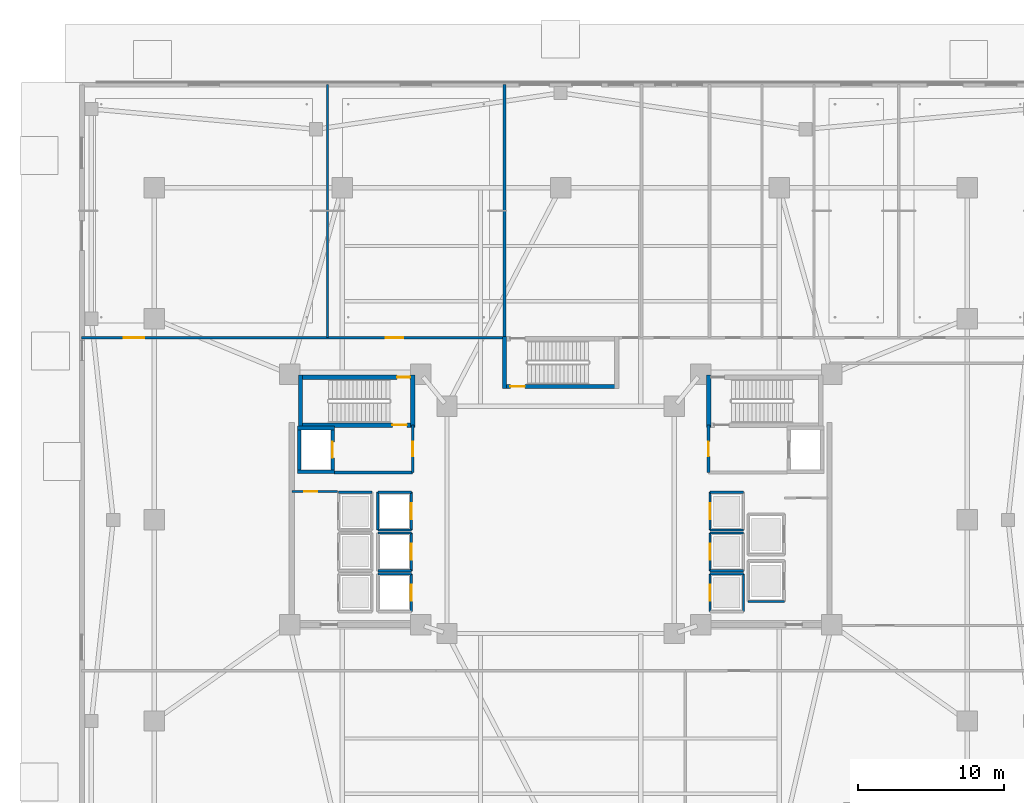
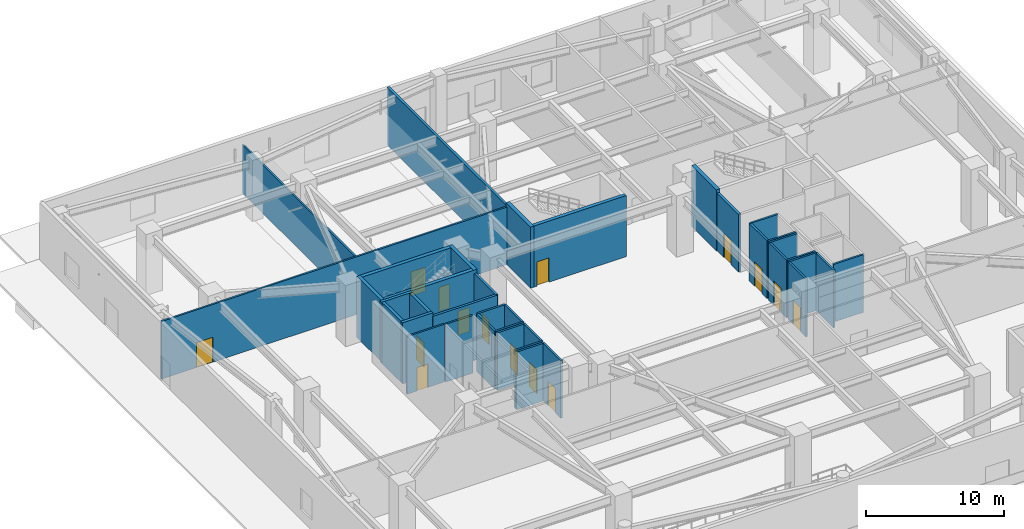
# One storey, part 4 of 18: 38 walls, 15 doors, 15 openings.
"""IFC4 building model written with IfcOpenShell, lengths in metres."""

import ifcopenshell
import ifcopenshell.guid

model = None  # the IFC model being written
_history = None  # IfcOwnerHistory: only IFC2X3 demands one
_inside = {}  # id of a spatial element -> (the spatial element, [elements in it])
_under = {}  # id of a project, library or spatial element -> (it, [spatial elements below it])
_declared = {}  # id of a project -> (the project, [libraries it declares])
_typed = {}  # id of a type object -> (the type object, [elements of that type])
_made_of = {}  # id of a material, layer set ... -> (it, [elements and type objects made of it])


def new_model(schema):
    """Start an empty IFC model of exactly this schema.

    Asked for "IFC4X3", IfcOpenShell would pick the latest addendum, in which some entities
    have other attributes; the version numbers below select the first issue.
    IFC2X3 requires an IfcOwnerHistory on every rooted entity: one is made here for all.
    """
    global model, _history
    if schema == "IFC4X3":
        model = ifcopenshell.file(schema_version=(4, 3, 0, 0))
    else:
        model = ifcopenshell.file(schema=schema)
    _inside.clear()
    _under.clear()
    _declared.clear()
    _typed.clear()
    _made_of.clear()
    _history = None
    if model.schema == "IFC2X3":
        org = make("IfcOrganization", Name="unknown")
        user = make(
            "IfcPersonAndOrganization",
            ThePerson=make("IfcPerson", FamilyName="unknown"),
            TheOrganization=org,
        )
        app = make(
            "IfcApplication",
            ApplicationDeveloper=org,
            Version="unknown",
            ApplicationFullName="unknown",
            ApplicationIdentifier="unknown",
        )
        _history = make(
            "IfcOwnerHistory",
            OwningUser=user,
            OwningApplication=app,
            ChangeAction="ADDED",
            CreationDate=0,
        )
    return model


def make(cls, **values):
    """One entity of the class cls with the attributes given. An attribute that is None is left unset."""
    return model.create_entity(
        cls, **{name: value for name, value in values.items() if value is not None}
    )


def rooted(cls, **values):
    """An entity with a GlobalId (a new one), such as an element, a storey or a relation."""
    return make(cls, GlobalId=ifcopenshell.guid.new(), OwnerHistory=_history, **values)


def si_unit(unit_type, name, prefix=None):
    """IfcSIUnit, for example si_unit("LENGTHUNIT", "METRE", prefix="MILLI")."""
    return make("IfcSIUnit", UnitType=unit_type, Prefix=prefix, Name=name)


def assignment(units):
    """IfcUnitAssignment: the units of a project."""
    return None if units is None else make("IfcUnitAssignment", Units=units)


def point(xyz):
    """IfcCartesianPoint."""
    return None if xyz is None else make("IfcCartesianPoint", Coordinates=xyz)


def direction(xyz):
    """IfcDirection."""
    return None if xyz is None else make("IfcDirection", DirectionRatios=xyz)


def frame(location, z_axis=None, x_axis=None):
    """IfcAxis2Placement3D, a coordinate frame: its origin and axes. An axis left out is left unset."""
    return make(
        "IfcAxis2Placement3D",
        Location=point(location),
        Axis=direction(z_axis),
        RefDirection=direction(x_axis),
    )


def frame_2d(location, x_axis=None):
    """IfcAxis2Placement2D, a coordinate frame in the plane: its origin and x axis."""
    return make(
        "IfcAxis2Placement2D", Location=point(location), RefDirection=direction(x_axis)
    )


def origin():
    """The frame at (0, 0, 0) with its axes left unset."""
    return frame((0.0, 0.0, 0.0))


def place(relative_to, where):
    """IfcLocalPlacement: puts the frame where relative to a parent placement (None: the world)."""
    return make(
        "IfcLocalPlacement", PlacementRelTo=relative_to, RelativePlacement=where
    )


def context(
    kind, dimensions, precision=None, world=None, true_north=None, identifier=None
):
    """IfcGeometricRepresentationContext, for example the 3D "Model" context."""
    return make(
        "IfcGeometricRepresentationContext",
        ContextIdentifier=identifier,
        ContextType=kind,
        CoordinateSpaceDimension=dimensions,
        Precision=precision,
        WorldCoordinateSystem=world,
        TrueNorth=true_north,
    )


def subcontext(parent, identifier, kind, view, scale=None):
    """IfcGeometricRepresentationSubContext, for example "Body" below "Model"."""
    return make(
        "IfcGeometricRepresentationSubContext",
        ContextIdentifier=identifier,
        ContextType=kind,
        ParentContext=parent,
        TargetScale=scale,
        TargetView=view,
    )


def project(units=None, contexts=None):
    """IfcProject with its units and contexts."""
    return rooted(
        "IfcProject",
        Name="project",
        RepresentationContexts=contexts,
        UnitsInContext=assignment(units),
    )


def spatial(cls, under=None, at=None, **own):
    """A site, building, storey or space (cls), placed at a placement, below another one or the project."""
    s = rooted(cls, ObjectPlacement=at, **own)
    if under is not None:
        _under.setdefault(under.id(), (under, []))[1].append(s)
    return s


def profile(cls, at=None, kind="AREA", **sizes):
    """A parametric profile (cls). Its sizes go by their IFC names, for example OverallWidth=200.0."""
    return make(cls, ProfileType=kind, Position=at, **sizes)


def rectangle(**sizes):
    """IfcRectangleProfileDef."""
    return profile("IfcRectangleProfileDef", **sizes)


def extrude(swept, where, along, depth):
    """IfcExtrudedAreaSolid: the profile swept, set in the frame where, extruded along a direction by depth."""
    return make(
        "IfcExtrudedAreaSolid",
        SweptArea=swept,
        Position=where,
        ExtrudedDirection=direction(along),
        Depth=depth,
    )


def shape(context_of_items, identifier, shape_type, items):
    """IfcShapeRepresentation: the items that make up one representation, for example the "Body"."""
    return make(
        "IfcShapeRepresentation",
        ContextOfItems=context_of_items,
        RepresentationIdentifier=identifier,
        RepresentationType=shape_type,
        Items=items,
    )


def material(Name=None, Category=None):
    """IfcMaterial."""
    return make("IfcMaterial", Name=Name, Category=Category)


def layer(
    of_material, thickness, ventilated=None, Name=None, Category=None, Priority=None
):
    """IfcMaterialLayer: one layer of a wall or slab, of a material (None: an air gap)."""
    return make(
        "IfcMaterialLayer",
        Material=of_material,
        LayerThickness=thickness,
        IsVentilated=ventilated,
        Name=Name,
        Category=Category,
        Priority=Priority,
    )


def layer_set(layers, Name=None):
    """IfcMaterialLayerSet."""
    return make("IfcMaterialLayerSet", MaterialLayers=layers, LayerSetName=Name)


def made_of(thing, what):
    """Note that an element or type object is made of a material, layer set ...; save() writes the relation."""
    if what is not None:
        _made_of.setdefault(what.id(), (what, []))[1].append(thing)
    return thing


def type_object(cls, material=None, **own):
    """A type object (cls), such as IfcWallType, which elements share."""
    return made_of(rooted(cls, **own), material)


def element(
    cls,
    number,
    at=None,
    inside=None,
    cuts=None,
    type_object=None,
    material=None,
    context=None,
    identifier="Body",
    shape_type=None,
    held_by="IfcProductDefinitionShape",
    body=None,
    shapes=None,
    **own,
):
    """One element of the class cls, such as IfcWall. Its Tag is "e" and its number.

    at: its placement. inside: the storey or other place that contains it. cuts: it is an
    opening in that element (IfcRelVoidsElement). A single representation is given by context,
    identifier, shape_type and body (its items); several are given by shapes. held_by: the class
    of the entity that holds the representations. save() writes the other relations.
    """
    e = rooted(cls, Tag="e%d" % number, ObjectPlacement=at, **own)
    if body is not None:
        shapes = [shape(context, identifier, shape_type, body)]
    if shapes is not None:
        e.Representation = make(held_by, Representations=shapes)
    if inside is not None:
        _inside.setdefault(inside.id(), (inside, []))[1].append(e)
    if cuts is not None:
        rooted(
            "IfcRelVoidsElement", RelatingBuildingElement=cuts, RelatedOpeningElement=e
        )
    if type_object is not None:
        _typed.setdefault(type_object.id(), (type_object, []))[1].append(e)
    return made_of(e, material)


def fill(opening, filler):
    """IfcRelFillsElement: the door or window that sits in an opening."""
    return rooted(
        "IfcRelFillsElement",
        RelatingOpeningElement=opening,
        RelatedBuildingElement=filler,
    )


def aggregate(whole, parts):
    """IfcRelAggregates: a whole, such as a stair, and the parts it consists of."""
    return rooted("IfcRelAggregates", RelatingObject=whole, RelatedObjects=parts)


def save(model, path):
    """Write the relations noted so far, then the file.

    IfcRelAggregates (storeys below a building ...), IfcRelContainedInSpatialStructure (elements
    in a storey), IfcRelDefinesByType, IfcRelAssociatesMaterial and IfcRelDeclares: one each for
    every whole, place, type object, material and project.
    """
    for whole, parts in _under.values():
        aggregate(whole, parts)
    for where, things in _inside.values():
        rooted(
            "IfcRelContainedInSpatialStructure",
            RelatedElements=things,
            RelatingStructure=where,
        )
    for kind, things in _typed.values():
        rooted("IfcRelDefinesByType", RelatedObjects=things, RelatingType=kind)
    for what, things in _made_of.values():
        rooted("IfcRelAssociatesMaterial", RelatedObjects=things, RelatingMaterial=what)
    for by, libraries in _declared.values():
        rooted("IfcRelDeclares", RelatingContext=by, RelatedDefinitions=libraries)
    model.write(path)


model = new_model("IFC4")

# Units and contexts
model_context = context("Model", 3, precision=1e-05, world=origin(), true_north=direction((0.0, 1.0)))
body_context = subcontext(model_context, "Body", "Model", "MODEL_VIEW")
ifc_project = project(units=[si_unit("LENGTHUNIT", "METRE"), si_unit("AREAUNIT", "SQUARE_METRE"), si_unit("VOLUMEUNIT", "CUBIC_METRE"), si_unit("PLANEANGLEUNIT", "RADIAN"), si_unit("MASSUNIT", "GRAM", prefix="KILO")], contexts=[model_context])

# Site, building, storey
site_placement = place(None, origin())
site = spatial("IfcSite", under=ifc_project, at=site_placement, CompositionType="ELEMENT")
building_placement = place(site_placement, origin())
building = spatial("IfcBuilding", under=site, at=building_placement, Name="Tarnavaz Court Tower", CompositionType="ELEMENT")
storey_placement = place(building_placement, origin())
storey = spatial("IfcBuildingStorey", under=building, at=storey_placement, Name="L00", CompositionType="ELEMENT", Elevation=0.0)

# Wall
ifc_material_1 = material(Name="Concrete C60/75", Category="concrete")
ifc_layer_1 = layer(ifc_material_1, 0.25)
ifc_layer_set_1 = layer_set([ifc_layer_1], Name="Concrete C60/75")
wall_type_1 = type_object("IfcWallType", Name="WL-CORE-250-C60", PredefinedType="SHEAR", material=ifc_layer_set_1)
wall_1_placement = place(storey_placement, frame((-17.949951171875, 3.175048828125, 0.0), z_axis=(0.0, 0.0, 1.0), x_axis=(0.0, 1.0, 0.0)))
element("IfcWall", 1, at=wall_1_placement, inside=storey, type_object=wall_type_1, Name="L00 Lift FL-W1 Shaft Wall 021", PredefinedType="SHEAR", context=body_context, shape_type="SweptSolid", body=[
    extrude(rectangle(XDim=3.25, YDim=0.25, at=frame_2d((1.625, 0.0))), origin(), (0.0, 0.0, 1.0), 5.39990234375),
])

# Wall, opening, door
wall_2_placement = place(storey_placement, frame((-15.64990234375, 3.175048828125, 0.0), z_axis=(0.0, 0.0, 1.0), x_axis=(0.0, 1.0, 0.0)))
wall_2 = element("IfcWall", 2, at=wall_2_placement, inside=storey, type_object=wall_type_1, Name="L00 Lift FL-W1 Shaft Wall 022", PredefinedType="SHEAR", context=body_context, shape_type="SweptSolid", body=[
    extrude(rectangle(XDim=3.25, YDim=0.25, at=frame_2d((1.625, 0.0))), origin(), (0.0, 0.0, 1.0), 5.39990234375),
])
opening_1_placement = place(wall_2_placement, frame((1.074951171875, 0.0, 0.0)))
opening_1 = element("IfcOpeningElement", 3, at=opening_1_placement, cuts=wall_2, Name="Opening LD1", PredefinedType="OPENING", context=body_context, shape_type="SweptSolid", body=[
    extrude(rectangle(XDim=1.10009765625, YDim=2.14990234375, at=frame_2d((0.550048828125, 1.074951171875))), frame((0.0, 0.135009765625, 0.0), z_axis=(0.0, -1.0, 0.0), x_axis=(1.0, 0.0, 0.0)), (0.0, 0.0, 1.0), 0.27001953125),
])
ifc_material_2 = material(Name="Stainless Steel", Category="steel")
door_type_1 = type_object("IfcDoorType", Name="DR-LD-1100", OperationType="NOTDEFINED", PredefinedType="DOOR", material=ifc_material_2)
door_1_placement = place(opening_1_placement, origin())
door_1 = element("IfcDoor", 4, at=door_1_placement, inside=storey, type_object=door_type_1, Name="L00 Lift Landing Door LD-FL-W1", OperationType="SLIDING_TO_LEFT", OverallHeight=2.14990234375, OverallWidth=1.10009765625, PredefinedType="DOOR", context=body_context, shape_type="SweptSolid", body=[
    extrude(rectangle(XDim=1.10009765625, YDim=2.14990234375, at=frame_2d((0.550048828125, 1.074951171875))), frame((0.0, 0.02490234375, 0.0), z_axis=(0.0, -1.0, 0.0), x_axis=(1.0, 0.0, 0.0)), (0.0, 0.0, 1.0), 0.050048828125),
])
fill(opening_1, door_1)

# Walls
for number, where, z_axis, x_axis, name in (
    (5, (-18.074951171875, 3.300048828125, 0.0), (0.0, 0.0, 1.0), (1.0, 0.0, 0.0), "L00 Lift FL-W1 Shaft Wall 023"),
    (6, (-18.074951171875, 6.300048828125, 0.0), (0.0, 0.0, 1.0), (1.0, 0.0, 0.0), "L00 Lift FL-W1 Shaft Wall 024"),
):
    element("IfcWall", number, at=place(storey_placement, frame(where, z_axis=z_axis, x_axis=x_axis)), inside=storey, type_object=wall_type_1, Name=name, PredefinedType="SHEAR", context=body_context, shape_type="SweptSolid", body=[
        extrude(rectangle(XDim=2.550048828125, YDim=0.25, at=frame_2d((1.27490234375, 0.0))), origin(), (0.0, 0.0, 1.0), 5.39990234375),
    ])

# Wall, opening, door
ifc_layer_2 = layer(ifc_material_1, 0.300048828125)
ifc_layer_set_2 = layer_set([ifc_layer_2], Name="Concrete C60/75")
wall_type_2 = type_object("IfcWallType", Name="WL-CORE-300-C60", PredefinedType="SHEAR", material=ifc_layer_set_2)
wall_3_placement = place(storey_placement, frame((-18.0, 9.7900390625, 0.0), z_axis=(0.0, 0.0, 1.0), x_axis=(1.0, 0.0, 0.0)))
wall_3 = element("IfcWall", 7, at=wall_3_placement, inside=storey, type_object=wall_type_2, Name="L00 West Stair Core Wall 001", PredefinedType="SHEAR", context=body_context, shape_type="SweptSolid", body=[
    extrude(rectangle(XDim=8.0, YDim=0.300048828125, at=frame_2d((4.0, 0.0))), origin(), (0.0, 0.0, 1.0), 5.39990234375),
])
opening_2_placement = place(wall_3_placement, frame((6.77001953125, 0.0, 0.0)))
opening_2 = element("IfcOpeningElement", 8, at=opening_2_placement, cuts=wall_3, Name="Opening SD2", PredefinedType="OPENING", context=body_context, shape_type="SweptSolid", body=[
    extrude(rectangle(XDim=0.89990234375, YDim=2.14990234375, at=frame_2d((0.449951171875, 1.074951171875))), frame((0.0, 0.159912109375, 0.0), z_axis=(0.0, -1.0, 0.0), x_axis=(1.0, 0.0, 0.0)), (0.0, 0.0, 1.0), 0.320068359375),
])
ifc_material_3 = material(Name="Fire-Rated Hardwood Timber Core", Category="wood")
door_type_2 = type_object("IfcDoorType", Name="DR-FD90-900", OperationType="NOTDEFINED", PredefinedType="DOOR", material=ifc_material_3)
door_2_placement = place(opening_2_placement, origin())
door_2 = element("IfcDoor", 9, at=door_2_placement, inside=storey, type_object=door_type_2, Name="L00 Stair ST-W1 Ground Protected Discharge Door", OperationType="SINGLE_SWING_RIGHT", OverallHeight=2.14990234375, OverallWidth=0.89990234375, PredefinedType="DOOR", context=body_context, shape_type="SweptSolid", body=[
    extrude(rectangle(XDim=0.89990234375, YDim=2.14990234375, at=frame_2d((0.449951171875, 1.074951171875))), frame((0.0, 0.02490234375, 0.0), z_axis=(0.0, -1.0, 0.0), x_axis=(1.0, 0.0, 0.0)), (0.0, 0.0, 1.0), 0.050048828125),
])
fill(opening_2, door_2)

wall_4_placement = place(storey_placement, frame((-18.0, 6.5, 0.0), z_axis=(0.0, 0.0, 1.0), x_axis=(1.0, 0.0, 0.0)))
wall_4 = element("IfcWall", 10, at=wall_4_placement, inside=storey, type_object=wall_type_2, Name="L00 West Stair Core Wall 002", PredefinedType="SHEAR", context=body_context, shape_type="SweptSolid", body=[
    extrude(rectangle(XDim=8.0, YDim=0.300048828125, at=frame_2d((4.0, 0.0))), origin(), (0.0, 0.0, 1.0), 5.39990234375),
])
opening_3_placement = place(wall_4_placement, frame((6.449951171875, 0.0, 0.0)))
opening_3 = element("IfcOpeningElement", 11, at=opening_3_placement, cuts=wall_4, Name="Opening D01", PredefinedType="OPENING", context=body_context, shape_type="SweptSolid", body=[
    extrude(rectangle(XDim=1.0, YDim=2.14990234375, at=frame_2d((0.5, 1.074951171875))), frame((0.0, 0.159912109375, 0.0), z_axis=(0.0, -1.0, 0.0), x_axis=(1.0, 0.0, 0.0)), (0.0, 0.0, 1.0), 0.320068359375),
])
door_type_3 = type_object("IfcDoorType", Name="DR-FD90-1000", OperationType="NOTDEFINED", PredefinedType="DOOR", material=ifc_material_3)
door_3_placement = place(opening_3_placement, origin())
door_3 = element("IfcDoor", 12, at=door_3_placement, inside=storey, type_object=door_type_3, Name="L00 Stair ST-W1 Exit Door", OperationType="SINGLE_SWING_LEFT", OverallHeight=2.14990234375, OverallWidth=1.0, PredefinedType="DOOR", context=body_context, shape_type="SweptSolid", body=[
    extrude(rectangle(XDim=1.0, YDim=2.14990234375, at=frame_2d((0.5, 1.074951171875))), frame((0.0, 0.02490234375, 0.0), z_axis=(0.0, -1.0, 0.0), x_axis=(1.0, 0.0, 0.0)), (0.0, 0.0, 1.0), 0.050048828125),
])
fill(opening_3, door_3)

# Walls
for number, where, z_axis, x_axis, name in (
    (13, (-17.85009765625, 6.35009765625, 0.0), (0.0, 0.0, 1.0), (0.0, 1.0, 0.0), "L00 West Stair Core Wall 003"),
    (14, (-10.14990234375, 6.35009765625, 0.0), (0.0, 0.0, 1.0), (0.0, 1.0, 0.0), "L00 West Stair Core Wall 004"),
    (15, (10.14990234375, 6.35009765625, 0.0), (0.0, 0.0, 1.0), (0.0, 1.0, 0.0), "L00 East Stair Core Wall 007"),
):
    element("IfcWall", number, at=place(storey_placement, frame(where, z_axis=z_axis, x_axis=x_axis)), inside=storey, type_object=wall_type_2, Name=name, PredefinedType="SHEAR", context=body_context, shape_type="SweptSolid", body=[
        extrude(rectangle(XDim=3.58984375, YDim=0.300048828125, at=frame_2d((1.794921875, 0.0))), origin(), (0.0, 0.0, 1.0), 5.39990234375),
    ])

# Wall, opening, door
wall_5_placement = place(storey_placement, frame((-4.0, 9.14990234375, 0.0), z_axis=(0.0, 0.0, 1.0), x_axis=(1.0, 0.0, 0.0)))
wall_5 = element("IfcWall", 16, at=wall_5_placement, inside=storey, type_object=wall_type_2, Name="L00 North Stair Core Wall 010", PredefinedType="SHEAR", context=body_context, shape_type="SweptSolid", body=[
    extrude(rectangle(XDim=8.0, YDim=0.300048828125, at=frame_2d((4.0, 0.0))), origin(), (0.0, 0.0, 1.0), 5.39990234375),
])
opening_4_placement = place(wall_5_placement, frame((0.550048828125, 0.0, 0.0)))
opening_4 = element("IfcOpeningElement", 17, at=opening_4_placement, cuts=wall_5, Name="Opening D01", PredefinedType="OPENING", context=body_context, shape_type="SweptSolid", body=[
    extrude(rectangle(XDim=1.0, YDim=2.14990234375, at=frame_2d((0.5, 1.074951171875))), frame((0.0, 0.159912109375, 0.0), z_axis=(0.0, -1.0, 0.0), x_axis=(1.0, 0.0, 0.0)), (0.0, 0.0, 1.0), 0.320068359375),
])
door_4_placement = place(opening_4_placement, origin())
door_4 = element("IfcDoor", 18, at=door_4_placement, inside=storey, type_object=door_type_3, Name="L00 Stair ST-N1 Exit Door", OperationType="SINGLE_SWING_LEFT", OverallHeight=2.14990234375, OverallWidth=1.0, PredefinedType="DOOR", context=body_context, shape_type="SweptSolid", body=[
    extrude(rectangle(XDim=1.0, YDim=2.14990234375, at=frame_2d((0.5, 1.074951171875))), frame((0.0, 0.02490234375, 0.0), z_axis=(0.0, -1.0, 0.0), x_axis=(1.0, 0.0, 0.0)), (0.0, 0.0, 1.0), 0.050048828125),
])
fill(opening_4, door_4)

# Wall
wall_6_placement = place(storey_placement, frame((-3.85009765625, 9.0, 0.0), z_axis=(0.0, 0.0, 1.0), x_axis=(0.0, 1.0, 0.0)))
element("IfcWall", 19, at=wall_6_placement, inside=storey, type_object=wall_type_2, Name="L00 North Stair Core Wall 011", PredefinedType="SHEAR", context=body_context, shape_type="SweptSolid", body=[
    extrude(rectangle(XDim=3.590087890625, YDim=0.300048828125, at=frame_2d((1.794921875, 0.0))), origin(), (0.0, 0.0, 1.0), 5.39990234375),
])

# Wall, openings, doors
ifc_material_4 = material(Name="Gypsum Fire-Board on Acoustic Metal Stud", Category="masonry")
ifc_layer_3 = layer(ifc_material_4, 0.14990234375)
ifc_layer_set_3 = layer_set([ifc_layer_3], Name="Gypsum Fire-Board on Acoustic Metal Stud")
wall_type_3 = type_object("IfcWallType", Name="WL-FIRE-150", PredefinedType="PARTITIONING", material=ifc_layer_set_3)
wall_7_placement = place(storey_placement, frame((-32.8798828125, 12.5, 0.0), z_axis=(0.0, 0.0, 1.0), x_axis=(1.0, 0.0, 0.0)))
wall_7 = element("IfcWall", 20, at=wall_7_placement, inside=storey, type_object=wall_type_3, Name="L00 NW Wing Corridor Wall 079", PredefinedType="PARTITIONING", context=body_context, shape_type="SweptSolid", body=[
    extrude(rectangle(XDim=29.02978515625, YDim=0.14990234375, at=frame_2d((14.514892578125, 0.0))), origin(), (0.0, 0.0, 1.0), 5.10009765625),
])
opening_5_placement = place(wall_7_placement, frame((2.89990234375, 0.0, 0.0)))
opening_5 = element("IfcOpeningElement", 21, at=opening_5_placement, cuts=wall_7, Name="Opening D10", PredefinedType="OPENING", context=body_context, shape_type="SweptSolid", body=[
    extrude(rectangle(XDim=1.39990234375, YDim=2.199951171875, at=frame_2d((0.699951171875, 1.10009765625))), frame((0.0, 0.0849609375, 0.0), z_axis=(0.0, -1.0, 0.0), x_axis=(1.0, 0.0, 0.0)), (0.0, 0.0, 1.0), 0.169921875),
])
opening_6_placement = place(wall_7_placement, frame((20.8798828125, 0.0, 0.0)))
opening_6 = element("IfcOpeningElement", 22, at=opening_6_placement, cuts=wall_7, Name="Opening D11", PredefinedType="OPENING", context=body_context, shape_type="SweptSolid", body=[
    extrude(rectangle(XDim=1.199951171875, YDim=2.14990234375, at=frame_2d((0.60009765625, 1.074951171875))), frame((0.0, 0.0849609375, 0.0), z_axis=(0.0, -1.0, 0.0), x_axis=(1.0, 0.0, 0.0)), (0.0, 0.0, 1.0), 0.169921875),
])
ifc_material_5 = material(Name="Engineered Oak Timber", Category="wood")
door_type_4 = type_object("IfcDoorType", Name="DR-INT-1200", OperationType="NOTDEFINED", PredefinedType="DOOR", material=ifc_material_5)
door_5_placement = place(opening_6_placement, origin())
door_5 = element("IfcDoor", 23, at=door_5_placement, inside=storey, type_object=door_type_4, Name="L00 Outpatient Pharmacy Door", OperationType="SINGLE_SWING_LEFT", OverallHeight=2.14990234375, OverallWidth=1.199951171875, PredefinedType="DOOR", context=body_context, shape_type="SweptSolid", body=[
    extrude(rectangle(XDim=1.199951171875, YDim=2.14990234375, at=frame_2d((0.60009765625, 1.074951171875))), frame((0.0, 0.02490234375, 0.0), z_axis=(0.0, -1.0, 0.0), x_axis=(1.0, 0.0, 0.0)), (0.0, 0.0, 1.0), 0.050048828125),
])
fill(opening_6, door_5)
door_type_5 = type_object("IfcDoorType", Name="DR-INT-1400", OperationType="NOTDEFINED", PredefinedType="DOOR", material=ifc_material_5)
door_6_placement = place(opening_5_placement, origin())
door_6 = element("IfcDoor", 24, at=door_6_placement, inside=storey, type_object=door_type_5, Name="L00 Clinic Triage Entrance Door", OperationType="SINGLE_SWING_RIGHT", OverallHeight=2.199951171875, OverallWidth=1.39990234375, PredefinedType="DOOR", context=body_context, shape_type="SweptSolid", body=[
    extrude(rectangle(XDim=1.39990234375, YDim=2.199951171875, at=frame_2d((0.699951171875, 1.10009765625))), frame((0.0, 0.02490234375, 0.0), z_axis=(0.0, -1.0, 0.0), x_axis=(1.0, 0.0, 0.0)), (0.0, 0.0, 1.0), 0.050048828125),
])
fill(opening_5, door_6)

# Wall
ifc_material_6 = material(Name="Autoclaved Aerated Concrete Blockwork", Category="masonry")
ifc_layer_4 = layer(ifc_material_6, 0.199951171875)
ifc_layer_set_4 = layer_set([ifc_layer_4], Name="Autoclaved Aerated Concrete Blockwork")
wall_type_4 = type_object("IfcWallType", Name="WL-FIRE-200", PredefinedType="SOLIDWALL", material=ifc_layer_set_4)
wall_8_placement = place(storey_placement, frame((-15.550048828125, 3.25, 0.0), z_axis=(0.0, 0.0, 1.0), x_axis=(1.0, 0.0, 0.0)))
element("IfcWall", 25, at=wall_8_placement, inside=storey, type_object=wall_type_4, Name="L00 West Firefighting Lobby Wall 017", PredefinedType="SOLIDWALL", context=body_context, shape_type="SweptSolid", body=[
    extrude(rectangle(XDim=5.400146484375, YDim=0.199951171875, at=frame_2d((2.7001953125, 0.0))), origin(), (0.0, 0.0, 1.0), 5.10009765625),
])

# Wall, opening, door
wall_9_placement = place(storey_placement, frame((-10.14990234375, 3.25, 0.0), z_axis=(0.0, 0.0, 1.0), x_axis=(0.0, 1.0, 0.0)))
wall_9 = element("IfcWall", 26, at=wall_9_placement, inside=storey, type_object=wall_type_4, Name="L00 West Firefighting Lobby Wall 018", PredefinedType="SOLIDWALL", context=body_context, shape_type="SweptSolid", body=[
    extrude(rectangle(XDim=3.25, YDim=0.199951171875, at=frame_2d((1.625, 0.0))), origin(), (0.0, 0.0, 1.0), 5.10009765625),
])
opening_7_placement = place(wall_9_placement, frame((1.10009765625, 0.0, 0.0)))
opening_7 = element("IfcOpeningElement", 27, at=opening_7_placement, cuts=wall_9, Name="Opening D05", PredefinedType="OPENING", context=body_context, shape_type="SweptSolid", body=[
    extrude(rectangle(XDim=1.02001953125, YDim=2.14990234375, at=frame_2d((0.510009765625, 1.074951171875))), frame((0.0, 0.10986328125, 0.0), z_axis=(0.0, -1.0, 0.0), x_axis=(1.0, 0.0, 0.0)), (0.0, 0.0, 1.0), 0.219970703125),
])
door_type_6 = type_object("IfcDoorType", Name="DR-FD60-1000", OperationType="NOTDEFINED", PredefinedType="DOOR", material=ifc_material_3)
door_7_placement = place(opening_7_placement, origin())
door_7 = element("IfcDoor", 28, at=door_7_placement, inside=storey, type_object=door_type_6, Name="L00 West Firefighting Lobby Door", OperationType="SINGLE_SWING_RIGHT", OverallHeight=2.14990234375, OverallWidth=1.02001953125, PredefinedType="DOOR", context=body_context, shape_type="SweptSolid", body=[
    extrude(rectangle(XDim=1.02001953125, YDim=2.14990234375, at=frame_2d((0.510009765625, 1.074951171875))), frame((0.0, 0.02490234375, 0.0), z_axis=(0.0, -1.0, 0.0), x_axis=(1.0, 0.0, 0.0)), (0.0, 0.0, 1.0), 0.050048828125),
])
fill(opening_7, door_7)

wall_10_placement = place(storey_placement, frame((10.14990234375, 3.25, 0.0), z_axis=(0.0, 0.0, 1.0), x_axis=(0.0, 1.0, 0.0)))
wall_10 = element("IfcWall", 29, at=wall_10_placement, inside=storey, type_object=wall_type_4, Name="L00 East Firefighting Lobby Wall 020", PredefinedType="SOLIDWALL", context=body_context, shape_type="SweptSolid", body=[
    extrude(rectangle(XDim=3.25, YDim=0.199951171875, at=frame_2d((1.625, 0.0))), origin(), (0.0, 0.0, 1.0), 5.10009765625),
])
opening_8_placement = place(wall_10_placement, frame((1.10009765625, 0.0, 0.0)))
opening_8 = element("IfcOpeningElement", 30, at=opening_8_placement, cuts=wall_10, Name="Opening D05", PredefinedType="OPENING", context=body_context, shape_type="SweptSolid", body=[
    extrude(rectangle(XDim=1.02001953125, YDim=2.14990234375, at=frame_2d((0.510009765625, 1.074951171875))), frame((0.0, 0.10986328125, 0.0), z_axis=(0.0, -1.0, 0.0), x_axis=(1.0, 0.0, 0.0)), (0.0, 0.0, 1.0), 0.219970703125),
])
door_8_placement = place(opening_8_placement, origin())
door_8 = element("IfcDoor", 31, at=door_8_placement, inside=storey, type_object=door_type_6, Name="L00 East Firefighting Lobby Door", OperationType="SINGLE_SWING_LEFT", OverallHeight=2.14990234375, OverallWidth=1.02001953125, PredefinedType="DOOR", context=body_context, shape_type="SweptSolid", body=[
    extrude(rectangle(XDim=1.02001953125, YDim=2.14990234375, at=frame_2d((0.510009765625, 1.074951171875))), frame((0.0, 0.02490234375, 0.0), z_axis=(0.0, -1.0, 0.0), x_axis=(1.0, 0.0, 0.0)), (0.0, 0.0, 1.0), 0.050048828125),
])
fill(opening_8, door_8)

# Wall
wall_11_placement = place(storey_placement, frame((-3.85009765625, 12.43994140625, 0.0), z_axis=(0.0, 0.0, 1.0), x_axis=(0.0, 1.0, 0.0)))
element("IfcWall", 32, at=wall_11_placement, inside=storey, type_object=wall_type_4, Name="L00 Interior Partition 084", PredefinedType="SOLIDWALL", context=body_context, shape_type="SweptSolid", body=[
    extrude(rectangle(XDim=17.43994140625, YDim=0.199951171875, at=frame_2d((8.719970703125, 0.0))), origin(), (0.0, 0.0, 1.0), 5.10009765625),
])

# Wall, opening, door
ifc_material_7 = material(Name="Gypsum Plasterboard Acoustic Partition", Category="masonry")
ifc_layer_5 = layer(ifc_material_7, 0.139892578125)
ifc_layer_set_5 = layer_set([ifc_layer_5], Name="Gypsum Plasterboard Acoustic Partition")
wall_type_5 = type_object("IfcWallType", Name="WL-PART-150", PredefinedType="PARTITIONING", material=ifc_layer_set_5)
wall_12_placement = place(storey_placement, frame((-18.449951171875, 1.949951171875, 0.0), z_axis=(0.0, 0.0, 1.0), x_axis=(1.0, 0.0, 0.0)))
wall_12 = element("IfcWall", 33, at=wall_12_placement, inside=storey, type_object=wall_type_5, Name="L00 Interior Partition 077", PredefinedType="PARTITIONING", context=body_context, shape_type="SweptSolid", body=[
    extrude(rectangle(XDim=3.14990234375, YDim=0.139892578125, at=frame_2d((1.574951171875, 0.0))), origin(), (0.0, 0.0, 1.0), 5.10009765625),
])
opening_9_placement = place(wall_12_placement, frame((0.85009765625, 0.0, 0.0)))
opening_9 = element("IfcOpeningElement", 34, at=opening_9_placement, cuts=wall_12, Name="Opening D09", PredefinedType="OPENING", context=body_context, shape_type="SweptSolid", body=[
    extrude(rectangle(XDim=0.89990234375, YDim=2.080078125, at=frame_2d((0.449951171875, 1.0400390625))), frame((0.0, 0.079833984375, 0.0), z_axis=(0.0, -1.0, 0.0), x_axis=(1.0, 0.0, 0.0)), (0.0, 0.0, 1.0), 0.159912109375),
])
door_type_7 = type_object("IfcDoorType", Name="DR-FD30-900", OperationType="NOTDEFINED", PredefinedType="DOOR", material=ifc_material_3)
door_9_placement = place(opening_9_placement, origin())
door_9 = element("IfcDoor", 35, at=door_9_placement, inside=storey, type_object=door_type_7, Name="L00 West Core Electrical Room Door", OperationType="SINGLE_SWING_RIGHT", OverallHeight=2.080078125, OverallWidth=0.89990234375, PredefinedType="DOOR", context=body_context, shape_type="SweptSolid", body=[
    extrude(rectangle(XDim=0.89990234375, YDim=2.080078125, at=frame_2d((0.449951171875, 1.0400390625))), frame((0.0, 0.02490234375, 0.0), z_axis=(0.0, -1.0, 0.0), x_axis=(1.0, 0.0, 0.0)), (0.0, 0.0, 1.0), 0.050048828125),
])
fill(opening_9, door_9)

# Wall
wall_13_placement = place(storey_placement, frame((-16.0, 12.5, 0.0), z_axis=(0.0, 0.0, 1.0), x_axis=(0.0, 1.0, 0.0)))
element("IfcWall", 36, at=wall_13_placement, inside=storey, type_object=wall_type_5, Name="L00 Interior Partition 086", PredefinedType="PARTITIONING", context=body_context, shape_type="SweptSolid", body=[
    extrude(rectangle(XDim=17.3798828125, YDim=0.139892578125, at=frame_2d((8.68994140625, 0.0))), origin(), (0.0, 0.0, 1.0), 4.284912109375),
])

# Wall, opening, door
ifc_layer_6 = layer(ifc_material_6, 0.159912109375)
ifc_layer_set_6 = layer_set([ifc_layer_6], Name="Autoclaved Aerated Concrete Blockwork")
wall_type_6 = type_object("IfcWallType", Name="WL-SHAFT-150", PredefinedType="SOLIDWALL", material=ifc_layer_set_6)
wall_14_placement = place(storey_placement, frame((-10.25, -6.300048828125, 0.0), z_axis=(0.0, 0.0, 1.0), x_axis=(0.0, 1.0, 0.0)))
wall_14 = element("IfcWall", 37, at=wall_14_placement, inside=storey, type_object=wall_type_6, Name="L00 Lift PL-L1 Shaft Wall 026", PredefinedType="SOLIDWALL", context=body_context, shape_type="SweptSolid", body=[
    extrude(rectangle(XDim=2.60009765625, YDim=0.159912109375, at=frame_2d((1.300048828125, 0.0))), origin(), (0.0, 0.0, 1.0), 5.10009765625),
])
opening_10_placement = place(wall_14_placement, frame((0.75, 0.0, 0.0)))
opening_10 = element("IfcOpeningElement", 38, at=opening_10_placement, cuts=wall_14, Name="Opening LD1", PredefinedType="OPENING", context=body_context, shape_type="SweptSolid", body=[
    extrude(rectangle(XDim=1.10009765625, YDim=2.14990234375, at=frame_2d((0.550048828125, 1.074951171875))), frame((0.0, 0.08984375, 0.0), z_axis=(0.0, -1.0, 0.0), x_axis=(1.0, 0.0, 0.0)), (0.0, 0.0, 1.0), 0.179931640625),
])
door_10_placement = place(opening_10_placement, origin())
door_10 = element("IfcDoor", 39, at=door_10_placement, inside=storey, type_object=door_type_1, Name="L00 Lift Landing Door LD-PL-L1", OperationType="SLIDING_TO_LEFT", OverallHeight=2.14990234375, OverallWidth=1.10009765625, PredefinedType="DOOR", context=body_context, shape_type="SweptSolid", body=[
    extrude(rectangle(XDim=1.10009765625, YDim=2.14990234375, at=frame_2d((0.550048828125, 1.074951171875))), frame((0.0, 0.02490234375, 0.0), z_axis=(0.0, -1.0, 0.0), x_axis=(1.0, 0.0, 0.0)), (0.0, 0.0, 1.0), 0.050048828125),
])
fill(opening_10, door_10)

# Wall
wall_15_placement = place(storey_placement, frame((-12.550048828125, -3.699951171875, 0.0), z_axis=(0.0, 0.0, 1.0), x_axis=(1.0, 0.0, 0.0)))
element("IfcWall", 40, at=wall_15_placement, inside=storey, type_object=wall_type_6, Name="L00 Lift PL-L1 Shaft Wall 028", PredefinedType="SOLIDWALL", context=body_context, shape_type="SweptSolid", body=[
    extrude(rectangle(XDim=2.300048828125, YDim=0.159912109375, at=frame_2d((1.14990234375, 0.0))), origin(), (0.0, 0.0, 1.0), 5.10009765625),
])

# Wall, opening, door
wall_16_placement = place(storey_placement, frame((-10.25, -3.5, 0.0), z_axis=(0.0, 0.0, 1.0), x_axis=(0.0, 1.0, 0.0)))
wall_16 = element("IfcWall", 41, at=wall_16_placement, inside=storey, type_object=wall_type_6, Name="L00 Lift PL-L2 Shaft Wall 030", PredefinedType="SOLIDWALL", context=body_context, shape_type="SweptSolid", body=[
    extrude(rectangle(XDim=2.60009765625, YDim=0.159912109375, at=frame_2d((1.300048828125, 0.0))), origin(), (0.0, 0.0, 1.0), 5.10009765625),
])
opening_11_placement = place(wall_16_placement, frame((0.75, 0.0, 0.0)))
opening_11 = element("IfcOpeningElement", 42, at=opening_11_placement, cuts=wall_16, Name="Opening LD1", PredefinedType="OPENING", context=body_context, shape_type="SweptSolid", body=[
    extrude(rectangle(XDim=1.10009765625, YDim=2.14990234375, at=frame_2d((0.550048828125, 1.074951171875))), frame((0.0, 0.08984375, 0.0), z_axis=(0.0, -1.0, 0.0), x_axis=(1.0, 0.0, 0.0)), (0.0, 0.0, 1.0), 0.179931640625),
])
door_11_placement = place(opening_11_placement, origin())
door_11 = element("IfcDoor", 43, at=door_11_placement, inside=storey, type_object=door_type_1, Name="L00 Lift Landing Door LD-PL-L2", OperationType="SLIDING_TO_LEFT", OverallHeight=2.14990234375, OverallWidth=1.10009765625, PredefinedType="DOOR", context=body_context, shape_type="SweptSolid", body=[
    extrude(rectangle(XDim=1.10009765625, YDim=2.14990234375, at=frame_2d((0.550048828125, 1.074951171875))), frame((0.0, 0.02490234375, 0.0), z_axis=(0.0, -1.0, 0.0), x_axis=(1.0, 0.0, 0.0)), (0.0, 0.0, 1.0), 0.050048828125),
])
fill(opening_11, door_11)

# Walls
for number, where, z_axis, x_axis, name in (
    (44, (-12.550048828125, -3.5, 0.0), (0.0, 0.0, 1.0), (1.0, 0.0, 0.0), "L00 Lift PL-L2 Shaft Wall 031"),
    (45, (-12.550048828125, -0.89990234375, 0.0), (0.0, 0.0, 1.0), (1.0, 0.0, 0.0), "L00 Lift PL-L2 Shaft Wall 032"),
):
    element("IfcWall", number, at=place(storey_placement, frame(where, z_axis=z_axis, x_axis=x_axis)), inside=storey, type_object=wall_type_6, Name=name, PredefinedType="SOLIDWALL", context=body_context, shape_type="SweptSolid", body=[
        extrude(rectangle(XDim=2.300048828125, YDim=0.159912109375, at=frame_2d((1.14990234375, 0.0))), origin(), (0.0, 0.0, 1.0), 5.10009765625),
    ])
wall_17_placement = place(storey_placement, frame((-12.550048828125, -0.699951171875, 0.0), z_axis=(0.0, 0.0, 1.0), x_axis=(0.0, 1.0, 0.0)))
element("IfcWall", 46, at=wall_17_placement, inside=storey, type_object=wall_type_6, Name="L00 Lift PL-L3 Shaft Wall 033", PredefinedType="SOLIDWALL", context=body_context, shape_type="SweptSolid", body=[
    extrude(rectangle(XDim=2.599853515625, YDim=0.159912109375, at=frame_2d((1.2998046875, 0.0))), origin(), (0.0, 0.0, 1.0), 5.10009765625),
])

# Wall, opening, door
wall_18_placement = place(storey_placement, frame((-10.25, -0.699951171875, 0.0), z_axis=(0.0, 0.0, 1.0), x_axis=(0.0, 1.0, 0.0)))
wall_18 = element("IfcWall", 47, at=wall_18_placement, inside=storey, type_object=wall_type_6, Name="L00 Lift PL-L3 Shaft Wall 034", PredefinedType="SOLIDWALL", context=body_context, shape_type="SweptSolid", body=[
    extrude(rectangle(XDim=2.599853515625, YDim=0.159912109375, at=frame_2d((1.2998046875, 0.0))), origin(), (0.0, 0.0, 1.0), 5.10009765625),
])
opening_12_placement = place(wall_18_placement, frame((0.75, 0.0, 0.0)))
opening_12 = element("IfcOpeningElement", 48, at=opening_12_placement, cuts=wall_18, Name="Opening LD1", PredefinedType="OPENING", context=body_context, shape_type="SweptSolid", body=[
    extrude(rectangle(XDim=1.10009765625, YDim=2.14990234375, at=frame_2d((0.550048828125, 1.074951171875))), frame((0.0, 0.08984375, 0.0), z_axis=(0.0, -1.0, 0.0), x_axis=(1.0, 0.0, 0.0)), (0.0, 0.0, 1.0), 0.179931640625),
])
door_12_placement = place(opening_12_placement, origin())
door_12 = element("IfcDoor", 49, at=door_12_placement, inside=storey, type_object=door_type_1, Name="L00 Lift Landing Door LD-PL-L3", OperationType="SLIDING_TO_LEFT", OverallHeight=2.14990234375, OverallWidth=1.10009765625, PredefinedType="DOOR", context=body_context, shape_type="SweptSolid", body=[
    extrude(rectangle(XDim=1.10009765625, YDim=2.14990234375, at=frame_2d((0.550048828125, 1.074951171875))), frame((0.0, 0.02490234375, 0.0), z_axis=(0.0, -1.0, 0.0), x_axis=(1.0, 0.0, 0.0)), (0.0, 0.0, 1.0), 0.050048828125),
])
fill(opening_12, door_12)

# Walls
for number, where, z_axis, x_axis, name in (
    (50, (-12.550048828125, -0.699951171875, 0.0), (0.0, 0.0, 1.0), (1.0, 0.0, 0.0), "L00 Lift PL-L3 Shaft Wall 035"),
    (51, (-12.550048828125, 1.89990234375, 0.0), (0.0, 0.0, 1.0), (1.0, 0.0, 0.0), "L00 Lift PL-L3 Shaft Wall 036"),
    (52, (-15.25, 1.89990234375, 0.0), (0.0, 0.0, 1.0), (1.0, 0.0, 0.0), "L00 Lift PL-H3 Shaft Wall 048"),
):
    element("IfcWall", number, at=place(storey_placement, frame(where, z_axis=z_axis, x_axis=x_axis)), inside=storey, type_object=wall_type_6, Name=name, PredefinedType="SOLIDWALL", context=body_context, shape_type="SweptSolid", body=[
        extrude(rectangle(XDim=2.300048828125, YDim=0.159912109375, at=frame_2d((1.14990234375, 0.0))), origin(), (0.0, 0.0, 1.0), 5.10009765625),
    ])

# Wall, opening, door
wall_19_placement = place(storey_placement, frame((10.25, -6.300048828125, 0.0), z_axis=(0.0, 0.0, 1.0), x_axis=(0.0, 1.0, 0.0)))
wall_19 = element("IfcWall", 53, at=wall_19_placement, inside=storey, type_object=wall_type_6, Name="L00 Lift PL-M1 Shaft Wall 053", PredefinedType="SOLIDWALL", context=body_context, shape_type="SweptSolid", body=[
    extrude(rectangle(XDim=2.60009765625, YDim=0.159912109375, at=frame_2d((1.300048828125, 0.0))), origin(), (0.0, 0.0, 1.0), 5.10009765625),
])
opening_13_placement = place(wall_19_placement, frame((0.75, 0.0, 0.0)))
opening_13 = element("IfcOpeningElement", 54, at=opening_13_placement, cuts=wall_19, Name="Opening LD1", PredefinedType="OPENING", context=body_context, shape_type="SweptSolid", body=[
    extrude(rectangle(XDim=1.10009765625, YDim=2.14990234375, at=frame_2d((0.550048828125, 1.074951171875))), frame((0.0, 0.08984375, 0.0), z_axis=(0.0, -1.0, 0.0), x_axis=(1.0, 0.0, 0.0)), (0.0, 0.0, 1.0), 0.179931640625),
])
door_13_placement = place(opening_13_placement, origin())
door_13 = element("IfcDoor", 55, at=door_13_placement, inside=storey, type_object=door_type_1, Name="L00 Lift Landing Door LD-PL-M1", OperationType="SLIDING_TO_LEFT", OverallHeight=2.14990234375, OverallWidth=1.10009765625, PredefinedType="DOOR", context=body_context, shape_type="SweptSolid", body=[
    extrude(rectangle(XDim=1.10009765625, YDim=2.14990234375, at=frame_2d((0.550048828125, 1.074951171875))), frame((0.0, 0.02490234375, 0.0), z_axis=(0.0, -1.0, 0.0), x_axis=(1.0, 0.0, 0.0)), (0.0, 0.0, 1.0), 0.050048828125),
])
fill(opening_13, door_13)

# Walls
wall_20_placement = place(storey_placement, frame((12.550048828125, -6.300048828125, 0.0), z_axis=(0.0, 0.0, 1.0), x_axis=(0.0, 1.0, 0.0)))
element("IfcWall", 56, at=wall_20_placement, inside=storey, type_object=wall_type_6, Name="L00 Lift PL-M1 Shaft Wall 054", PredefinedType="SOLIDWALL", context=body_context, shape_type="SweptSolid", body=[
    extrude(rectangle(XDim=2.60009765625, YDim=0.159912109375, at=frame_2d((1.300048828125, 0.0))), origin(), (0.0, 0.0, 1.0), 5.10009765625),
])
wall_21_placement = place(storey_placement, frame((10.25, -3.699951171875, 0.0), z_axis=(0.0, 0.0, 1.0), x_axis=(1.0, 0.0, 0.0)))
element("IfcWall", 57, at=wall_21_placement, inside=storey, type_object=wall_type_6, Name="L00 Lift PL-M1 Shaft Wall 056", PredefinedType="SOLIDWALL", context=body_context, shape_type="SweptSolid", body=[
    extrude(rectangle(XDim=2.300048828125, YDim=0.159912109375, at=frame_2d((1.14990234375, 0.0))), origin(), (0.0, 0.0, 1.0), 5.10009765625),
])

# Wall, opening, door
wall_22_placement = place(storey_placement, frame((10.25, -3.5, 0.0), z_axis=(0.0, 0.0, 1.0), x_axis=(0.0, 1.0, 0.0)))
wall_22 = element("IfcWall", 58, at=wall_22_placement, inside=storey, type_object=wall_type_6, Name="L00 Lift PL-M2 Shaft Wall 057", PredefinedType="SOLIDWALL", context=body_context, shape_type="SweptSolid", body=[
    extrude(rectangle(XDim=2.60009765625, YDim=0.159912109375, at=frame_2d((1.300048828125, 0.0))), origin(), (0.0, 0.0, 1.0), 5.10009765625),
])
opening_14_placement = place(wall_22_placement, frame((0.75, 0.0, 0.0)))
opening_14 = element("IfcOpeningElement", 59, at=opening_14_placement, cuts=wall_22, Name="Opening LD1", PredefinedType="OPENING", context=body_context, shape_type="SweptSolid", body=[
    extrude(rectangle(XDim=1.10009765625, YDim=2.14990234375, at=frame_2d((0.550048828125, 1.074951171875))), frame((0.0, 0.08984375, 0.0), z_axis=(0.0, -1.0, 0.0), x_axis=(1.0, 0.0, 0.0)), (0.0, 0.0, 1.0), 0.179931640625),
])
door_14_placement = place(opening_14_placement, origin())
door_14 = element("IfcDoor", 60, at=door_14_placement, inside=storey, type_object=door_type_1, Name="L00 Lift Landing Door LD-PL-M2", OperationType="SLIDING_TO_LEFT", OverallHeight=2.14990234375, OverallWidth=1.10009765625, PredefinedType="DOOR", context=body_context, shape_type="SweptSolid", body=[
    extrude(rectangle(XDim=1.10009765625, YDim=2.14990234375, at=frame_2d((0.550048828125, 1.074951171875))), frame((0.0, 0.02490234375, 0.0), z_axis=(0.0, -1.0, 0.0), x_axis=(1.0, 0.0, 0.0)), (0.0, 0.0, 1.0), 0.050048828125),
])
fill(opening_14, door_14)

# Walls
for number, where, z_axis, x_axis, name in (
    (61, (10.25, -3.5, 0.0), (0.0, 0.0, 1.0), (1.0, 0.0, 0.0), "L00 Lift PL-M2 Shaft Wall 059"),
    (62, (10.25, -0.89990234375, 0.0), (0.0, 0.0, 1.0), (1.0, 0.0, 0.0), "L00 Lift PL-M2 Shaft Wall 060"),
):
    element("IfcWall", number, at=place(storey_placement, frame(where, z_axis=z_axis, x_axis=x_axis)), inside=storey, type_object=wall_type_6, Name=name, PredefinedType="SOLIDWALL", context=body_context, shape_type="SweptSolid", body=[
        extrude(rectangle(XDim=2.300048828125, YDim=0.159912109375, at=frame_2d((1.14990234375, 0.0))), origin(), (0.0, 0.0, 1.0), 5.10009765625),
    ])

# Wall, opening, door
wall_23_placement = place(storey_placement, frame((10.25, -0.699951171875, 0.0), z_axis=(0.0, 0.0, 1.0), x_axis=(0.0, 1.0, 0.0)))
wall_23 = element("IfcWall", 63, at=wall_23_placement, inside=storey, type_object=wall_type_6, Name="L00 Lift PL-M3 Shaft Wall 061", PredefinedType="SOLIDWALL", context=body_context, shape_type="SweptSolid", body=[
    extrude(rectangle(XDim=2.599853515625, YDim=0.159912109375, at=frame_2d((1.2998046875, 0.0))), origin(), (0.0, 0.0, 1.0), 5.10009765625),
])
opening_15_placement = place(wall_23_placement, frame((0.75, 0.0, 0.0)))
opening_15 = element("IfcOpeningElement", 64, at=opening_15_placement, cuts=wall_23, Name="Opening LD1", PredefinedType="OPENING", context=body_context, shape_type="SweptSolid", body=[
    extrude(rectangle(XDim=1.10009765625, YDim=2.14990234375, at=frame_2d((0.550048828125, 1.074951171875))), frame((0.0, 0.08984375, 0.0), z_axis=(0.0, -1.0, 0.0), x_axis=(1.0, 0.0, 0.0)), (0.0, 0.0, 1.0), 0.179931640625),
])
door_15_placement = place(opening_15_placement, origin())
door_15 = element("IfcDoor", 65, at=door_15_placement, inside=storey, type_object=door_type_1, Name="L00 Lift Landing Door LD-PL-M3", OperationType="SLIDING_TO_LEFT", OverallHeight=2.14990234375, OverallWidth=1.10009765625, PredefinedType="DOOR", context=body_context, shape_type="SweptSolid", body=[
    extrude(rectangle(XDim=1.10009765625, YDim=2.14990234375, at=frame_2d((0.550048828125, 1.074951171875))), frame((0.0, 0.02490234375, 0.0), z_axis=(0.0, -1.0, 0.0), x_axis=(1.0, 0.0, 0.0)), (0.0, 0.0, 1.0), 0.050048828125),
])
fill(opening_15, door_15)

# Walls
for number, where, z_axis, x_axis, name in (
    (66, (10.25, -0.699951171875, 0.0), (0.0, 0.0, 1.0), (1.0, 0.0, 0.0), "L00 Lift PL-M3 Shaft Wall 063"),
    (67, (10.25, 1.89990234375, 0.0), (0.0, 0.0, 1.0), (1.0, 0.0, 0.0), "L00 Lift PL-M3 Shaft Wall 064"),
):
    element("IfcWall", number, at=place(storey_placement, frame(where, z_axis=z_axis, x_axis=x_axis)), inside=storey, type_object=wall_type_6, Name=name, PredefinedType="SOLIDWALL", context=body_context, shape_type="SweptSolid", body=[
        extrude(rectangle(XDim=2.300048828125, YDim=0.159912109375, at=frame_2d((1.14990234375, 0.0))), origin(), (0.0, 0.0, 1.0), 5.10009765625),
    ])
wall_24_placement = place(storey_placement, frame((12.85009765625, -5.60009765625, 0.0), z_axis=(0.0, 0.0, 1.0), x_axis=(1.0, 0.0, 0.0)))
element("IfcWall", 68, at=wall_24_placement, inside=storey, type_object=wall_type_6, Name="L00 Lift PL-OB1 Shaft Wall 067", PredefinedType="SOLIDWALL", context=body_context, shape_type="SweptSolid", body=[
    extrude(rectangle(XDim=2.5, YDim=0.159912109375, at=frame_2d((1.25, 0.0))), origin(), (0.0, 0.0, 1.0), 5.10009765625),
])

save(model, "model.ifc")
